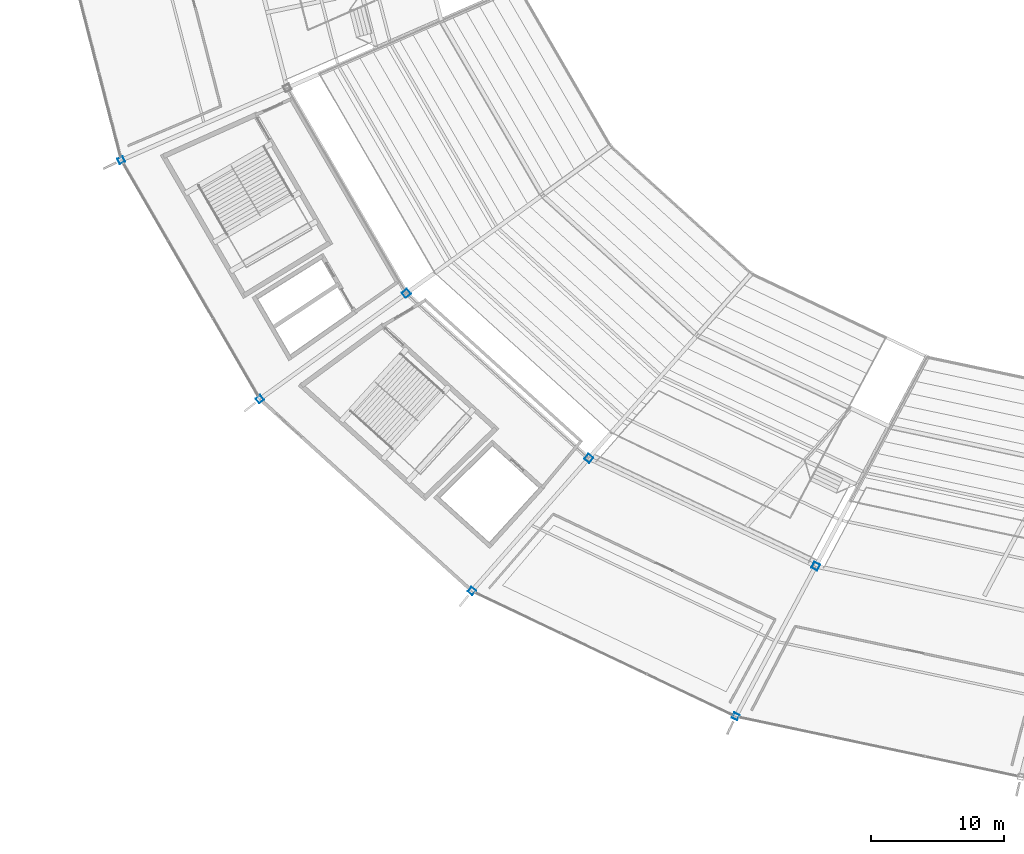
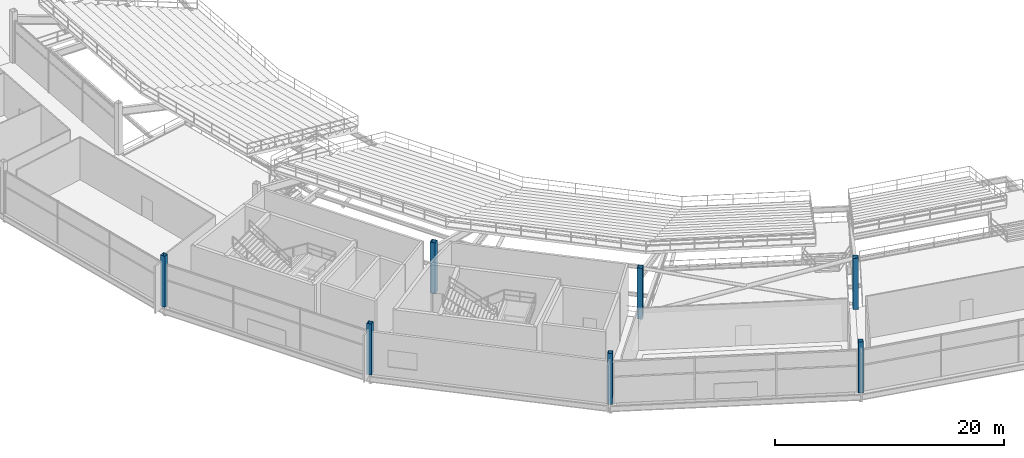
# One storey, part 1 of 186: 7 columns.
"""IFC4 building model written with IfcOpenShell, lengths in metres."""

from ifc_helpers import new_model, si_unit, direction, frame, origin, origin_2d, place, context, subcontext, project, spatial, hollow_rectangle, extrude, material, material_profile, profile_set, type_object, element, save


model = new_model("IFC4")

# Units and contexts
model_context = context("Model", 3, precision=1e-05, world=origin(), true_north=direction((0.0, 1.0)))
body_context = subcontext(model_context, "Body", "Model", "MODEL_VIEW")
ifc_project = project(units=[si_unit("LENGTHUNIT", "METRE"), si_unit("AREAUNIT", "SQUARE_METRE"), si_unit("VOLUMEUNIT", "CUBIC_METRE"), si_unit("PLANEANGLEUNIT", "RADIAN"), si_unit("MASSUNIT", "GRAM", prefix="KILO")], contexts=[model_context])

# Site, building, storey
site_placement = place(None, origin())
site = spatial("IfcSite", under=ifc_project, at=site_placement, CompositionType="ELEMENT")
building_placement = place(site_placement, origin())
building = spatial("IfcBuilding", under=site, at=building_placement, Name="Kazemori Nagisa Stadium", CompositionType="ELEMENT")
storey_placement = place(building_placement, frame((0.0, 0.0, 20.39990234375)))
storey = spatial("IfcBuildingStorey", under=building, at=storey_placement, Name="L04", CompositionType="ELEMENT", Elevation=20.39990234375)

# Columns
ifc_material = material(Name="Steel STKR490", Category="steel")
ifc_material_profile_1 = material_profile(ifc_material, hollow_rectangle(XDim=0.449951171875, YDim=0.449951171875, WallThickness=0.02197265625, at=origin_2d()), Name="SHS-450x450x22")
ifc_profile_set_1 = profile_set([ifc_material_profile_1], Name="Steel STKR490")
column_type_1 = type_object("IfcColumnType", Name="Column_C-ST450", PredefinedType="COLUMN", material=ifc_profile_set_1)
for number, where, z_axis, x_axis, name in (
    (1, (34.114990234375, 63.25048828125, 0.0), (0.0, 0.0, 1.0), (-0.900968867905, -0.433883739113, 0.0), "Column C-ST450 L04 R3-17"),
    (2, (44.504638671875, 45.332275390625, 0.0), (0.0, 0.0, 1.0), (-0.781831482473, -0.623489801853, 0.0), "Column C-ST450 L04 R3-18"),
    (3, (60.402099609375, 30.94091796875, 0.0), (0.0, 0.0, 1.0), (-0.623489801853, -0.781831482473, 0.0), "Column C-ST450 L04 R3-19"),
    (4, (80.1953125, 21.53564453125, 0.0), (0.0, 0.0, 1.0), (-0.433883739113, -0.900968867905, 0.0), "Column C-ST450 L04 R3-20"),
):
    element("IfcColumn", number, at=place(storey_placement, frame(where, z_axis=z_axis, x_axis=x_axis)), inside=storey, type_object=column_type_1, Name=name, PredefinedType="COLUMN", context=body_context, shape_type="SweptSolid", body=[
        extrude(hollow_rectangle(XDim=0.449951171875, YDim=0.449951171875, WallThickness=0.02197265625, at=origin_2d()), origin(), (0.0, 0.0, 1.0), 5.440185546875),
    ])
ifc_material_profile_2 = material_profile(ifc_material, hollow_rectangle(XDim=0.5, YDim=0.5, WallThickness=0.02197265625, at=origin_2d()), Name="SHS-500x500x22")
ifc_profile_set_2 = profile_set([ifc_material_profile_2], Name="Steel STKR490")
column_type_2 = type_object("IfcColumnType", Name="Column_C-ST500", PredefinedType="COLUMN", material=ifc_profile_set_2)
for number, where, z_axis, x_axis, name in (
    (5, (55.493896484375, 53.265869140625, 0.0), (0.0, 0.0, 1.0), (-0.781831482473, -0.623489801853, 0.0), "Column C-ST500 L04 R2-18"),
    (6, (69.165771484375, 40.88916015625, 0.0), (0.0, 0.0, 1.0), (-0.623489801853, -0.781831482473, 0.0), "Column C-ST500 L04 R2-19"),
    (7, (86.18798828125, 32.80078125, 0.0), (0.0, 0.0, 1.0), (-0.433883739113, -0.900968867905, 0.0), "Column C-ST500 L04 R2-20"),
):
    element("IfcColumn", number, at=place(storey_placement, frame(where, z_axis=z_axis, x_axis=x_axis)), inside=storey, type_object=column_type_2, Name=name, PredefinedType="COLUMN", context=body_context, shape_type="SweptSolid", body=[
        extrude(hollow_rectangle(XDim=0.5, YDim=0.5, WallThickness=0.02197265625, at=origin_2d()), origin(), (0.0, 0.0, 1.0), 5.440185546875),
    ])

save(model, "model.ifc")
